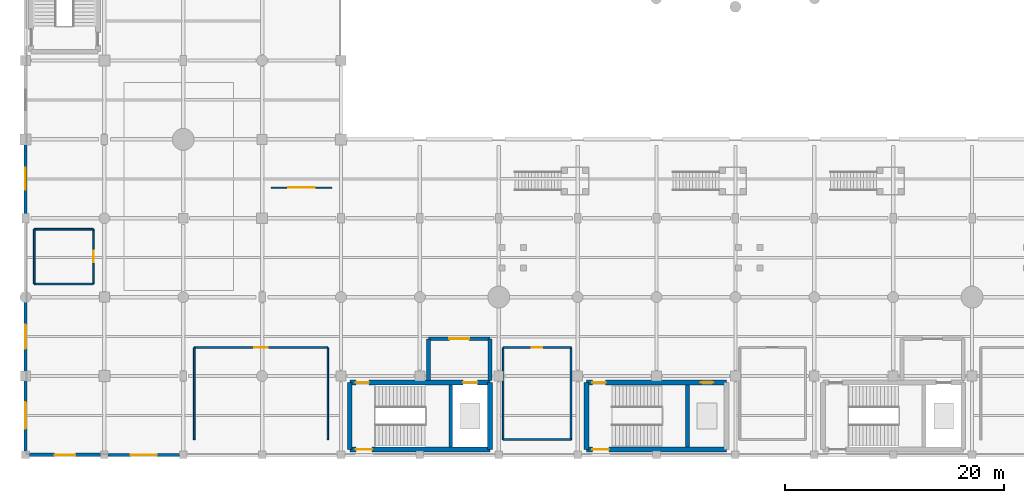
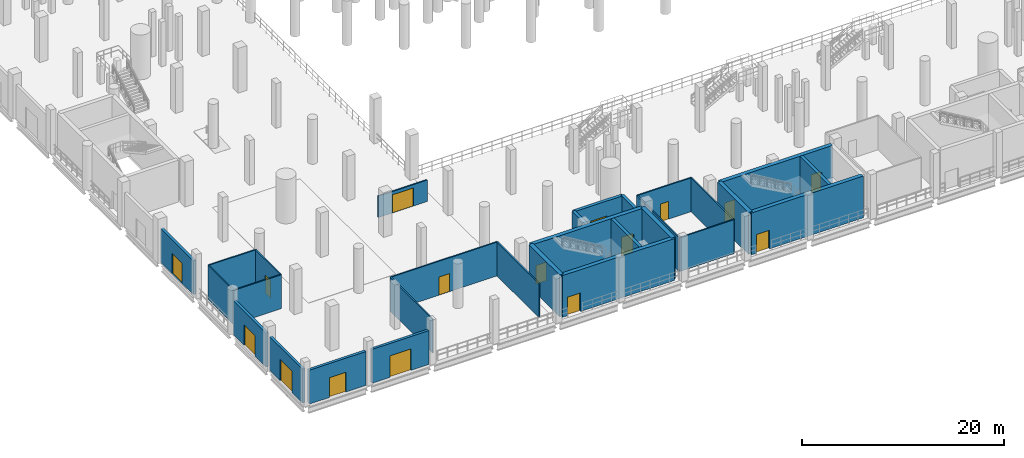
# One storey, part 32 of 58: 29 walls, 16 doors, 16 openings.
"""IFC4 building model written with IfcOpenShell, lengths in metres."""

import ifcopenshell
import ifcopenshell.guid

model = None  # the IFC model being written
_history = None  # IfcOwnerHistory: only IFC2X3 demands one
_inside = {}  # id of a spatial element -> (the spatial element, [elements in it])
_under = {}  # id of a project, library or spatial element -> (it, [spatial elements below it])
_declared = {}  # id of a project -> (the project, [libraries it declares])
_typed = {}  # id of a type object -> (the type object, [elements of that type])
_made_of = {}  # id of a material, layer set ... -> (it, [elements and type objects made of it])


def new_model(schema):
    """Start an empty IFC model of exactly this schema.

    Asked for "IFC4X3", IfcOpenShell would pick the latest addendum, in which some entities
    have other attributes; the version numbers below select the first issue.
    IFC2X3 requires an IfcOwnerHistory on every rooted entity: one is made here for all.
    """
    global model, _history
    if schema == "IFC4X3":
        model = ifcopenshell.file(schema_version=(4, 3, 0, 0))
    else:
        model = ifcopenshell.file(schema=schema)
    _inside.clear()
    _under.clear()
    _declared.clear()
    _typed.clear()
    _made_of.clear()
    _history = None
    if model.schema == "IFC2X3":
        org = make("IfcOrganization", Name="unknown")
        user = make(
            "IfcPersonAndOrganization",
            ThePerson=make("IfcPerson", FamilyName="unknown"),
            TheOrganization=org,
        )
        app = make(
            "IfcApplication",
            ApplicationDeveloper=org,
            Version="unknown",
            ApplicationFullName="unknown",
            ApplicationIdentifier="unknown",
        )
        _history = make(
            "IfcOwnerHistory",
            OwningUser=user,
            OwningApplication=app,
            ChangeAction="ADDED",
            CreationDate=0,
        )
    return model


def make(cls, **values):
    """One entity of the class cls with the attributes given. An attribute that is None is left unset."""
    return model.create_entity(
        cls, **{name: value for name, value in values.items() if value is not None}
    )


def rooted(cls, **values):
    """An entity with a GlobalId (a new one), such as an element, a storey or a relation."""
    return make(cls, GlobalId=ifcopenshell.guid.new(), OwnerHistory=_history, **values)


def si_unit(unit_type, name, prefix=None):
    """IfcSIUnit, for example si_unit("LENGTHUNIT", "METRE", prefix="MILLI")."""
    return make("IfcSIUnit", UnitType=unit_type, Prefix=prefix, Name=name)


def assignment(units):
    """IfcUnitAssignment: the units of a project."""
    return None if units is None else make("IfcUnitAssignment", Units=units)


def point(xyz):
    """IfcCartesianPoint."""
    return None if xyz is None else make("IfcCartesianPoint", Coordinates=xyz)


def direction(xyz):
    """IfcDirection."""
    return None if xyz is None else make("IfcDirection", DirectionRatios=xyz)


def frame(location, z_axis=None, x_axis=None):
    """IfcAxis2Placement3D, a coordinate frame: its origin and axes. An axis left out is left unset."""
    return make(
        "IfcAxis2Placement3D",
        Location=point(location),
        Axis=direction(z_axis),
        RefDirection=direction(x_axis),
    )


def frame_2d(location, x_axis=None):
    """IfcAxis2Placement2D, a coordinate frame in the plane: its origin and x axis."""
    return make(
        "IfcAxis2Placement2D", Location=point(location), RefDirection=direction(x_axis)
    )


def origin():
    """The frame at (0, 0, 0) with its axes left unset."""
    return frame((0.0, 0.0, 0.0))


def place(relative_to, where):
    """IfcLocalPlacement: puts the frame where relative to a parent placement (None: the world)."""
    return make(
        "IfcLocalPlacement", PlacementRelTo=relative_to, RelativePlacement=where
    )


def context(
    kind, dimensions, precision=None, world=None, true_north=None, identifier=None
):
    """IfcGeometricRepresentationContext, for example the 3D "Model" context."""
    return make(
        "IfcGeometricRepresentationContext",
        ContextIdentifier=identifier,
        ContextType=kind,
        CoordinateSpaceDimension=dimensions,
        Precision=precision,
        WorldCoordinateSystem=world,
        TrueNorth=true_north,
    )


def subcontext(parent, identifier, kind, view, scale=None):
    """IfcGeometricRepresentationSubContext, for example "Body" below "Model"."""
    return make(
        "IfcGeometricRepresentationSubContext",
        ContextIdentifier=identifier,
        ContextType=kind,
        ParentContext=parent,
        TargetScale=scale,
        TargetView=view,
    )


def project(units=None, contexts=None):
    """IfcProject with its units and contexts."""
    return rooted(
        "IfcProject",
        Name="project",
        RepresentationContexts=contexts,
        UnitsInContext=assignment(units),
    )


def spatial(cls, under=None, at=None, **own):
    """A site, building, storey or space (cls), placed at a placement, below another one or the project."""
    s = rooted(cls, ObjectPlacement=at, **own)
    if under is not None:
        _under.setdefault(under.id(), (under, []))[1].append(s)
    return s


def profile(cls, at=None, kind="AREA", **sizes):
    """A parametric profile (cls). Its sizes go by their IFC names, for example OverallWidth=200.0."""
    return make(cls, ProfileType=kind, Position=at, **sizes)


def rectangle(**sizes):
    """IfcRectangleProfileDef."""
    return profile("IfcRectangleProfileDef", **sizes)


def extrude(swept, where, along, depth):
    """IfcExtrudedAreaSolid: the profile swept, set in the frame where, extruded along a direction by depth."""
    return make(
        "IfcExtrudedAreaSolid",
        SweptArea=swept,
        Position=where,
        ExtrudedDirection=direction(along),
        Depth=depth,
    )


def shape(context_of_items, identifier, shape_type, items):
    """IfcShapeRepresentation: the items that make up one representation, for example the "Body"."""
    return make(
        "IfcShapeRepresentation",
        ContextOfItems=context_of_items,
        RepresentationIdentifier=identifier,
        RepresentationType=shape_type,
        Items=items,
    )


def material(Name=None, Category=None):
    """IfcMaterial."""
    return make("IfcMaterial", Name=Name, Category=Category)


def layer(
    of_material, thickness, ventilated=None, Name=None, Category=None, Priority=None
):
    """IfcMaterialLayer: one layer of a wall or slab, of a material (None: an air gap)."""
    return make(
        "IfcMaterialLayer",
        Material=of_material,
        LayerThickness=thickness,
        IsVentilated=ventilated,
        Name=Name,
        Category=Category,
        Priority=Priority,
    )


def layer_set(layers, Name=None):
    """IfcMaterialLayerSet."""
    return make("IfcMaterialLayerSet", MaterialLayers=layers, LayerSetName=Name)


def made_of(thing, what):
    """Note that an element or type object is made of a material, layer set ...; save() writes the relation."""
    if what is not None:
        _made_of.setdefault(what.id(), (what, []))[1].append(thing)
    return thing


def type_object(cls, material=None, **own):
    """A type object (cls), such as IfcWallType, which elements share."""
    return made_of(rooted(cls, **own), material)


def element(
    cls,
    number,
    at=None,
    inside=None,
    cuts=None,
    type_object=None,
    material=None,
    context=None,
    identifier="Body",
    shape_type=None,
    held_by="IfcProductDefinitionShape",
    body=None,
    shapes=None,
    **own,
):
    """One element of the class cls, such as IfcWall. Its Tag is "e" and its number.

    at: its placement. inside: the storey or other place that contains it. cuts: it is an
    opening in that element (IfcRelVoidsElement). A single representation is given by context,
    identifier, shape_type and body (its items); several are given by shapes. held_by: the class
    of the entity that holds the representations. save() writes the other relations.
    """
    e = rooted(cls, Tag="e%d" % number, ObjectPlacement=at, **own)
    if body is not None:
        shapes = [shape(context, identifier, shape_type, body)]
    if shapes is not None:
        e.Representation = make(held_by, Representations=shapes)
    if inside is not None:
        _inside.setdefault(inside.id(), (inside, []))[1].append(e)
    if cuts is not None:
        rooted(
            "IfcRelVoidsElement", RelatingBuildingElement=cuts, RelatedOpeningElement=e
        )
    if type_object is not None:
        _typed.setdefault(type_object.id(), (type_object, []))[1].append(e)
    return made_of(e, material)


def fill(opening, filler):
    """IfcRelFillsElement: the door or window that sits in an opening."""
    return rooted(
        "IfcRelFillsElement",
        RelatingOpeningElement=opening,
        RelatedBuildingElement=filler,
    )


def aggregate(whole, parts):
    """IfcRelAggregates: a whole, such as a stair, and the parts it consists of."""
    return rooted("IfcRelAggregates", RelatingObject=whole, RelatedObjects=parts)


def save(model, path):
    """Write the relations noted so far, then the file.

    IfcRelAggregates (storeys below a building ...), IfcRelContainedInSpatialStructure (elements
    in a storey), IfcRelDefinesByType, IfcRelAssociatesMaterial and IfcRelDeclares: one each for
    every whole, place, type object, material and project.
    """
    for whole, parts in _under.values():
        aggregate(whole, parts)
    for where, things in _inside.values():
        rooted(
            "IfcRelContainedInSpatialStructure",
            RelatedElements=things,
            RelatingStructure=where,
        )
    for kind, things in _typed.values():
        rooted("IfcRelDefinesByType", RelatedObjects=things, RelatingType=kind)
    for what, things in _made_of.values():
        rooted("IfcRelAssociatesMaterial", RelatedObjects=things, RelatingMaterial=what)
    for by, libraries in _declared.values():
        rooted("IfcRelDeclares", RelatingContext=by, RelatedDefinitions=libraries)
    model.write(path)


model = new_model("IFC4")

# Units and contexts
model_context = context("Model", 3, precision=1e-05, world=origin(), true_north=direction((0.0, 1.0)))
body_context = subcontext(model_context, "Body", "Model", "MODEL_VIEW")
ifc_project = project(units=[si_unit("LENGTHUNIT", "METRE"), si_unit("AREAUNIT", "SQUARE_METRE"), si_unit("VOLUMEUNIT", "CUBIC_METRE"), si_unit("PLANEANGLEUNIT", "RADIAN"), si_unit("MASSUNIT", "GRAM", prefix="KILO")], contexts=[model_context])

# Site, building, storey
site_placement = place(None, origin())
site = spatial("IfcSite", under=ifc_project, at=site_placement, CompositionType="ELEMENT")
building_placement = place(site_placement, origin())
building = spatial("IfcBuilding", under=site, at=building_placement, Name="Qandorah Velis Arena", CompositionType="ELEMENT")
storey_placement = place(building_placement, origin())
storey = spatial("IfcBuildingStorey", under=building, at=storey_placement, Name="L00", CompositionType="ELEMENT", Elevation=0.0)

# Wall, opening, door
ifc_material_1 = material(Name="Precast concrete C40/50", Category="concrete")
ifc_layer_1 = layer(ifc_material_1, 0.2900390625)
ifc_layer_set_1 = layer_set([ifc_layer_1], Name="Precast concrete C40/50")
wall_type_1 = type_object("IfcWallType", Name="ARC-WAL-EXT290", PredefinedType="SOLIDWALL", material=ifc_layer_set_1)
wall_1_placement = place(storey_placement, frame((0.0, 0.35009765625, 0.0), z_axis=(0.0, 0.0, 1.0), x_axis=(0.0, 1.0, 0.0)))
wall_1 = element("IfcWall", 1, at=wall_1_placement, inside=storey, type_object=wall_type_1, Name="Perimeter concourse exit wall G01", PredefinedType="SOLIDWALL", context=body_context, shape_type="SweptSolid", body=[
    extrude(rectangle(XDim=6.5, YDim=0.2900390625, at=frame_2d((3.25, 0.0))), origin(), (0.0, 0.0, 1.0), 4.10009765625),
])
opening_1_placement = place(wall_1_placement, frame((2.050048828125, 0.0, 0.0)))
opening_1 = element("IfcOpeningElement", 2, at=opening_1_placement, cuts=wall_1, Name="Opening G1", PredefinedType="OPENING", context=body_context, shape_type="SweptSolid", body=[
    extrude(rectangle(XDim=2.39990234375, YDim=2.60009765625, at=frame_2d((1.199951171875, 1.300048828125))), frame((0.0, 0.155029296875, 0.0), z_axis=(0.0, -1.0, 0.0), x_axis=(1.0, 0.0, 0.0)), (0.0, 0.0, 1.0), 0.31005859375),
])
ifc_material_2 = material(Name="Insulated galvanized steel exit door", Category="steel")
door_type_1 = type_object("IfcDoorType", Name="ARC-DR-EXT2400", OperationType="NOTDEFINED", PredefinedType="DOOR", material=ifc_material_2)
door_1_placement = place(opening_1_placement, origin())
door_1 = element("IfcDoor", 3, at=door_1_placement, inside=storey, type_object=door_type_1, Name="Pedestrian exit door G1", OperationType="SINGLE_SWING_RIGHT", OverallHeight=2.60009765625, OverallWidth=2.39990234375, PredefinedType="DOOR", context=body_context, shape_type="SweptSolid", body=[
    extrude(rectangle(XDim=2.39990234375, YDim=2.60009765625, at=frame_2d((1.199951171875, 1.300048828125))), frame((0.0, 0.02490234375, 0.0), z_axis=(0.0, -1.0, 0.0), x_axis=(1.0, 0.0, 0.0)), (0.0, 0.0, 1.0), 0.050048828125),
])
fill(opening_1, door_1)

wall_2_placement = place(storey_placement, frame((0.0, 21.949951171875, 0.0), z_axis=(0.0, 0.0, 1.0), x_axis=(0.0, 1.0, 0.0)))
wall_2 = element("IfcWall", 4, at=wall_2_placement, inside=storey, type_object=wall_type_1, Name="Perimeter concourse exit wall G03", PredefinedType="SOLIDWALL", context=body_context, shape_type="SweptSolid", body=[
    extrude(rectangle(XDim=6.5, YDim=0.2900390625, at=frame_2d((3.25, 0.0))), origin(), (0.0, 0.0, 1.0), 4.10009765625),
])
opening_2_placement = place(wall_2_placement, frame((2.25, 0.0, 0.0)))
opening_2 = element("IfcOpeningElement", 5, at=opening_2_placement, cuts=wall_2, Name="Opening G3", PredefinedType="OPENING", context=body_context, shape_type="SweptSolid", body=[
    extrude(rectangle(XDim=2.0, YDim=2.449951171875, at=frame_2d((1.0, 1.22509765625))), frame((0.0, 0.155029296875, 0.0), z_axis=(0.0, -1.0, 0.0), x_axis=(1.0, 0.0, 0.0)), (0.0, 0.0, 1.0), 0.31005859375),
])
door_type_2 = type_object("IfcDoorType", Name="ARC-DR-EXT2000", OperationType="NOTDEFINED", PredefinedType="DOOR", material=ifc_material_2)
door_2_placement = place(opening_2_placement, origin())
door_2 = element("IfcDoor", 6, at=door_2_placement, inside=storey, type_object=door_type_2, Name="Pedestrian exit door G3", OperationType="SINGLE_SWING_RIGHT", OverallHeight=2.449951171875, OverallWidth=2.0, PredefinedType="DOOR", context=body_context, shape_type="SweptSolid", body=[
    extrude(rectangle(XDim=2.0, YDim=2.449951171875, at=frame_2d((1.0, 1.22509765625))), frame((0.0, 0.02490234375, 0.0), z_axis=(0.0, -1.0, 0.0), x_axis=(1.0, 0.0, 0.0)), (0.0, 0.0, 1.0), 0.050048828125),
])
fill(opening_2, door_2)

wall_3_placement = place(storey_placement, frame((7.550048828125, 0.0, 0.0), z_axis=(0.0, 0.0, 1.0), x_axis=(1.0, 0.0, 0.0)))
wall_3 = element("IfcWall", 7, at=wall_3_placement, inside=storey, type_object=wall_type_1, Name="Perimeter concourse exit wall G13", PredefinedType="SOLIDWALL", context=body_context, shape_type="SweptSolid", body=[
    extrude(rectangle(XDim=6.5, YDim=0.2900390625, at=frame_2d((3.25, 0.0))), origin(), (0.0, 0.0, 1.0), 4.10009765625),
])
opening_3_placement = place(wall_3_placement, frame((2.050048828125, 0.0, 0.0)))
opening_3 = element("IfcOpeningElement", 8, at=opening_3_placement, cuts=wall_3, Name="Opening G13", PredefinedType="OPENING", context=body_context, shape_type="SweptSolid", body=[
    extrude(rectangle(XDim=2.39990234375, YDim=2.60009765625, at=frame_2d((1.199951171875, 1.300048828125))), frame((0.0, 0.155029296875, 0.0), z_axis=(0.0, -1.0, 0.0), x_axis=(1.0, 0.0, 0.0)), (0.0, 0.0, 1.0), 0.31005859375),
])
door_3_placement = place(opening_3_placement, frame((2.39990234375, 0.0, 0.0), z_axis=(0.0, 0.0, 1.0), x_axis=(-1.0, 0.0, 0.0)))
door_3 = element("IfcDoor", 9, at=door_3_placement, inside=storey, type_object=door_type_1, Name="Pedestrian exit door G13", OperationType="SINGLE_SWING_RIGHT", OverallHeight=2.60009765625, OverallWidth=2.39990234375, PredefinedType="DOOR", context=body_context, shape_type="SweptSolid", body=[
    extrude(rectangle(XDim=2.39990234375, YDim=2.60009765625, at=frame_2d((1.199951171875, 1.300048828125))), frame((0.0, 0.02490234375, 0.0), z_axis=(0.0, -1.0, 0.0), x_axis=(1.0, 0.0, 0.0)), (0.0, 0.0, 1.0), 0.050048828125),
])
fill(opening_3, door_3)

ifc_layer_2 = layer(ifc_material_1, 0.31005859375)
ifc_layer_set_2 = layer_set([ifc_layer_2], Name="Precast concrete C40/50")
wall_type_2 = type_object("IfcWallType", Name="ARC-WAL-EXT310", PredefinedType="SOLIDWALL", material=ifc_layer_set_2)
wall_4_placement = place(storey_placement, frame((0.0, 7.550048828125, 0.0), z_axis=(0.0, 0.0, 1.0), x_axis=(0.0, 1.0, 0.0)))
wall_4 = element("IfcWall", 10, at=wall_4_placement, inside=storey, type_object=wall_type_2, Name="Perimeter concourse exit wall G02", PredefinedType="SOLIDWALL", context=body_context, shape_type="SweptSolid", body=[
    extrude(rectangle(XDim=6.5, YDim=0.31005859375, at=frame_2d((3.25, 0.0))), origin(), (0.0, 0.0, 1.0), 4.10009765625),
])
opening_4_placement = place(wall_4_placement, frame((2.14990234375, 0.0, 0.0)))
opening_4 = element("IfcOpeningElement", 11, at=opening_4_placement, cuts=wall_4, Name="Opening G2", PredefinedType="OPENING", context=body_context, shape_type="SweptSolid", body=[
    extrude(rectangle(XDim=2.199951171875, YDim=2.5, at=frame_2d((1.10009765625, 1.25))), frame((0.0, 0.1650390625, 0.0), z_axis=(0.0, -1.0, 0.0), x_axis=(1.0, 0.0, 0.0)), (0.0, 0.0, 1.0), 0.330078125),
])
door_type_3 = type_object("IfcDoorType", Name="ARC-DR-EXT2200", OperationType="NOTDEFINED", PredefinedType="DOOR", material=ifc_material_2)
door_4_placement = place(opening_4_placement, origin())
door_4 = element("IfcDoor", 12, at=door_4_placement, inside=storey, type_object=door_type_3, Name="Pedestrian exit door G2", OperationType="SINGLE_SWING_LEFT", OverallHeight=2.5, OverallWidth=2.199951171875, PredefinedType="DOOR", context=body_context, shape_type="SweptSolid", body=[
    extrude(rectangle(XDim=2.199951171875, YDim=2.5, at=frame_2d((1.10009765625, 1.25))), frame((0.0, 0.02490234375, 0.0), z_axis=(0.0, -1.0, 0.0), x_axis=(1.0, 0.0, 0.0)), (0.0, 0.0, 1.0), 0.050048828125),
])
fill(opening_4, door_4)

wall_5_placement = place(storey_placement, frame((0.35009765625, 0.0, 0.0), z_axis=(0.0, 0.0, 1.0), x_axis=(1.0, 0.0, 0.0)))
wall_5 = element("IfcWall", 13, at=wall_5_placement, inside=storey, type_object=wall_type_2, Name="Perimeter concourse exit wall G12", PredefinedType="SOLIDWALL", context=body_context, shape_type="SweptSolid", body=[
    extrude(rectangle(XDim=6.5, YDim=0.31005859375, at=frame_2d((3.25, 0.0))), origin(), (0.0, 0.0, 1.0), 4.10009765625),
])
opening_5_placement = place(wall_5_placement, frame((2.300048828125, 0.0, 0.0)))
opening_5 = element("IfcOpeningElement", 14, at=opening_5_placement, cuts=wall_5, Name="Opening G12", PredefinedType="OPENING", context=body_context, shape_type="SweptSolid", body=[
    extrude(rectangle(XDim=1.89990234375, YDim=2.39990234375, at=frame_2d((0.949951171875, 1.199951171875))), frame((0.0, 0.1650390625, 0.0), z_axis=(0.0, -1.0, 0.0), x_axis=(1.0, 0.0, 0.0)), (0.0, 0.0, 1.0), 0.330078125),
])
door_type_4 = type_object("IfcDoorType", Name="ARC-DR-EXT1900", OperationType="NOTDEFINED", PredefinedType="DOOR", material=ifc_material_2)
door_5_placement = place(opening_5_placement, frame((1.89990234375, 0.0, 0.0), z_axis=(0.0, 0.0, 1.0), x_axis=(-1.0, 0.0, 0.0)))
door_5 = element("IfcDoor", 15, at=door_5_placement, inside=storey, type_object=door_type_4, Name="Pedestrian exit door G12", OperationType="SINGLE_SWING_LEFT", OverallHeight=2.39990234375, OverallWidth=1.89990234375, PredefinedType="DOOR", context=body_context, shape_type="SweptSolid", body=[
    extrude(rectangle(XDim=1.89990234375, YDim=2.39990234375, at=frame_2d((0.949951171875, 1.199951171875))), frame((0.0, 0.02490234375, 0.0), z_axis=(0.0, -1.0, 0.0), x_axis=(1.0, 0.0, 0.0)), (0.0, 0.0, 1.0), 0.050048828125),
])
fill(opening_5, door_5)

# Wall
ifc_material_3 = material(Name="Concrete C35/45", Category="concrete")
ifc_layer_3 = layer(ifc_material_3, 0.14990234375)
ifc_layer_set_3 = layer_set([ifc_layer_3], Name="Concrete C35/45")
wall_type_3 = type_object("IfcWallType", Name="ARC-WAL-PART150", PredefinedType="PARTITIONING", material=ifc_layer_set_3)
wall_6_placement = place(storey_placement, frame((27.60009765625, 1.39990234375, 0.0), z_axis=(0.0, 0.0, 1.0), x_axis=(0.0, 1.0, 0.0)))
element("IfcWall", 16, at=wall_6_placement, inside=storey, type_object=wall_type_3, Name="Interior partition L00-KIO-SW (E)", PredefinedType="PARTITIONING", context=body_context, shape_type="SweptSolid", body=[
    extrude(rectangle(XDim=8.400146484375, YDim=0.14990234375, at=frame_2d((4.2001953125, 0.0))), origin(), (0.0, 0.0, 1.0), 4.10009765625),
])

# Wall, opening, door
wall_7_placement = place(storey_placement, frame((27.60009765625, 9.800048828125, 0.0), z_axis=(0.0, 0.0, 1.0), x_axis=(-1.0, 0.0, 0.0)))
wall_7 = element("IfcWall", 17, at=wall_7_placement, inside=storey, type_object=wall_type_3, Name="Interior partition L00-KIO-SW (N)", PredefinedType="PARTITIONING", context=body_context, shape_type="SweptSolid", body=[
    extrude(rectangle(XDim=12.2001953125, YDim=0.14990234375, at=frame_2d((6.10009765625, 0.0))), origin(), (0.0, 0.0, 1.0), 4.10009765625),
])
opening_6_placement = place(wall_7_placement, frame((5.5, 0.0, 0.0)))
opening_6 = element("IfcOpeningElement", 18, at=opening_6_placement, cuts=wall_7, Name="Opening D2", PredefinedType="OPENING", context=body_context, shape_type="SweptSolid", body=[
    extrude(rectangle(XDim=1.199951171875, YDim=2.199951171875, at=frame_2d((0.60009765625, 1.10009765625))), frame((0.0, 0.0849609375, 0.0), z_axis=(0.0, -1.0, 0.0), x_axis=(1.0, 0.0, 0.0)), (0.0, 0.0, 1.0), 0.169921875),
])
ifc_material_4 = material(Name="Solid-core hardwood veneer door", Category="wood")
door_type_5 = type_object("IfcDoorType", Name="ARC-DR-INT1200", OperationType="NOTDEFINED", PredefinedType="DOOR", material=ifc_material_4)
door_6_placement = place(opening_6_placement, origin())
door_6 = element("IfcDoor", 19, at=door_6_placement, inside=storey, type_object=door_type_5, Name="Door L00-KIO-SW", OperationType="SINGLE_SWING_LEFT", OverallHeight=2.199951171875, OverallWidth=1.199951171875, PredefinedType="DOOR", context=body_context, shape_type="SweptSolid", body=[
    extrude(rectangle(XDim=1.199951171875, YDim=2.199951171875, at=frame_2d((0.60009765625, 1.10009765625))), frame((0.0, 0.02490234375, 0.0), z_axis=(0.0, -1.0, 0.0), x_axis=(1.0, 0.0, 0.0)), (0.0, 0.0, 1.0), 0.050048828125),
])
fill(opening_6, door_6)

# Walls
wall_8_placement = place(storey_placement, frame((15.39990234375, 9.800048828125, 0.0), z_axis=(0.0, 0.0, 1.0), x_axis=(0.0, -1.0, 0.0)))
element("IfcWall", 20, at=wall_8_placement, inside=storey, type_object=wall_type_3, Name="Interior partition L00-KIO-SW (W)", PredefinedType="PARTITIONING", context=body_context, shape_type="SweptSolid", body=[
    extrude(rectangle(XDim=8.400146484375, YDim=0.14990234375, at=frame_2d((4.2001953125, 0.0))), origin(), (0.0, 0.0, 1.0), 4.10009765625),
])
wall_9_placement = place(storey_placement, frame((43.60009765625, 1.39990234375, 0.0), z_axis=(0.0, 0.0, 1.0), x_axis=(1.0, 0.0, 0.0)))
element("IfcWall", 21, at=wall_9_placement, inside=storey, type_object=wall_type_3, Name="Interior partition L00-L00-MWC1 (S)", PredefinedType="PARTITIONING", context=body_context, shape_type="SweptSolid", body=[
    extrude(rectangle(XDim=6.199951171875, YDim=0.14990234375, at=frame_2d((3.10009765625, 0.0))), origin(), (0.0, 0.0, 1.0), 4.10009765625),
])
wall_10_placement = place(storey_placement, frame((49.800048828125, 1.39990234375, 0.0), z_axis=(0.0, 0.0, 1.0), x_axis=(0.0, 1.0, 0.0)))
element("IfcWall", 22, at=wall_10_placement, inside=storey, type_object=wall_type_3, Name="Interior partition L00-L00-MWC1 (E)", PredefinedType="PARTITIONING", context=body_context, shape_type="SweptSolid", body=[
    extrude(rectangle(XDim=8.400146484375, YDim=0.14990234375, at=frame_2d((4.2001953125, 0.0))), origin(), (0.0, 0.0, 1.0), 4.10009765625),
])

# Wall, opening, door
wall_11_placement = place(storey_placement, frame((49.800048828125, 9.800048828125, 0.0), z_axis=(0.0, 0.0, 1.0), x_axis=(-1.0, 0.0, 0.0)))
wall_11 = element("IfcWall", 23, at=wall_11_placement, inside=storey, type_object=wall_type_3, Name="Interior partition L00-L00-MWC1 (N)", PredefinedType="PARTITIONING", context=body_context, shape_type="SweptSolid", body=[
    extrude(rectangle(XDim=6.199951171875, YDim=0.14990234375, at=frame_2d((3.10009765625, 0.0))), origin(), (0.0, 0.0, 1.0), 4.10009765625),
])
opening_7_placement = place(wall_11_placement, frame((2.625, 0.0, 0.0)))
opening_7 = element("IfcOpeningElement", 24, at=opening_7_placement, cuts=wall_11, Name="Opening D4", PredefinedType="OPENING", context=body_context, shape_type="SweptSolid", body=[
    extrude(rectangle(XDim=0.949951171875, YDim=2.14990234375, at=frame_2d((0.47509765625, 1.074951171875))), frame((0.0, 0.0849609375, 0.0), z_axis=(0.0, -1.0, 0.0), x_axis=(1.0, 0.0, 0.0)), (0.0, 0.0, 1.0), 0.169921875),
])
ifc_material_5 = material(Name="Moisture-resistant laminate door")
door_type_6 = type_object("IfcDoorType", Name="ARC-DR-WC950", OperationType="NOTDEFINED", PredefinedType="DOOR", material=ifc_material_5)
door_7_placement = place(opening_7_placement, frame((0.949951171875, 0.0, 0.0), z_axis=(0.0, 0.0, 1.0), x_axis=(-1.0, 0.0, 0.0)))
door_7 = element("IfcDoor", 25, at=door_7_placement, inside=storey, type_object=door_type_6, Name="Door L00-L00-MWC1", OperationType="SINGLE_SWING_RIGHT", OverallHeight=2.14990234375, OverallWidth=0.949951171875, PredefinedType="DOOR", context=body_context, shape_type="SweptSolid", body=[
    extrude(rectangle(XDim=0.949951171875, YDim=2.14990234375, at=frame_2d((0.47509765625, 1.074951171875))), frame((0.0, 0.02490234375, 0.0), z_axis=(0.0, -1.0, 0.0), x_axis=(1.0, 0.0, 0.0)), (0.0, 0.0, 1.0), 0.050048828125),
])
fill(opening_7, door_7)

# Walls
wall_12_placement = place(storey_placement, frame((43.60009765625, 9.800048828125, 0.0), z_axis=(0.0, 0.0, 1.0), x_axis=(0.0, -1.0, 0.0)))
element("IfcWall", 26, at=wall_12_placement, inside=storey, type_object=wall_type_3, Name="Interior partition L00-L00-MWC1 (W)", PredefinedType="PARTITIONING", context=body_context, shape_type="SweptSolid", body=[
    extrude(rectangle(XDim=8.400146484375, YDim=0.14990234375, at=frame_2d((4.2001953125, 0.0))), origin(), (0.0, 0.0, 1.0), 4.10009765625),
])
wall_13_placement = place(storey_placement, frame((0.800048828125, 15.60009765625, 0.0), z_axis=(0.0, 0.0, 1.0), x_axis=(1.0, 0.0, 0.0)))
element("IfcWall", 27, at=wall_13_placement, inside=storey, type_object=wall_type_3, Name="Interior partition L00-L00-AWC1 (S)", PredefinedType="PARTITIONING", context=body_context, shape_type="SweptSolid", body=[
    extrude(rectangle(XDim=5.39990234375, YDim=0.14990234375, at=frame_2d((2.699951171875, 0.0))), origin(), (0.0, 0.0, 1.0), 4.10009765625),
])

# Wall, opening, door
wall_14_placement = place(storey_placement, frame((6.199951171875, 15.60009765625, 0.0), z_axis=(0.0, 0.0, 1.0), x_axis=(0.0, 1.0, 0.0)))
wall_14 = element("IfcWall", 28, at=wall_14_placement, inside=storey, type_object=wall_type_3, Name="Interior partition L00-L00-AWC1 (E)", PredefinedType="PARTITIONING", context=body_context, shape_type="SweptSolid", body=[
    extrude(rectangle(XDim=5.0, YDim=0.14990234375, at=frame_2d((2.5, 0.0))), origin(), (0.0, 0.0, 1.0), 4.10009765625),
])
opening_8_placement = place(wall_14_placement, frame((1.97509765625, 0.0, 0.0)))
opening_8 = element("IfcOpeningElement", 29, at=opening_8_placement, cuts=wall_14, Name="Opening D6", PredefinedType="OPENING", context=body_context, shape_type="SweptSolid", body=[
    extrude(rectangle(XDim=1.050048828125, YDim=2.199951171875, at=frame_2d((0.52490234375, 1.10009765625))), frame((0.0, 0.0849609375, 0.0), z_axis=(0.0, -1.0, 0.0), x_axis=(1.0, 0.0, 0.0)), (0.0, 0.0, 1.0), 0.169921875),
])
ifc_material_6 = material(Name="Accessible wide-leaf lever-handle door")
door_type_7 = type_object("IfcDoorType", Name="ARC-DR-ACC1050", OperationType="NOTDEFINED", PredefinedType="DOOR", material=ifc_material_6)
door_8_placement = place(opening_8_placement, frame((1.050048828125, 0.0, 0.0), z_axis=(0.0, 0.0, 1.0), x_axis=(-1.0, 0.0, 0.0)))
door_8 = element("IfcDoor", 30, at=door_8_placement, inside=storey, type_object=door_type_7, Name="Door L00-L00-AWC1", OperationType="SINGLE_SWING_RIGHT", OverallHeight=2.199951171875, OverallWidth=1.050048828125, PredefinedType="DOOR", context=body_context, shape_type="SweptSolid", body=[
    extrude(rectangle(XDim=1.050048828125, YDim=2.199951171875, at=frame_2d((0.52490234375, 1.10009765625))), frame((0.0, 0.02490234375, 0.0), z_axis=(0.0, -1.0, 0.0), x_axis=(1.0, 0.0, 0.0)), (0.0, 0.0, 1.0), 0.050048828125),
])
fill(opening_8, door_8)

# Walls
wall_15_placement = place(storey_placement, frame((6.199951171875, 20.60009765625, 0.0), z_axis=(0.0, 0.0, 1.0), x_axis=(-1.0, 0.0, 0.0)))
element("IfcWall", 31, at=wall_15_placement, inside=storey, type_object=wall_type_3, Name="Interior partition L00-L00-AWC1 (N)", PredefinedType="PARTITIONING", context=body_context, shape_type="SweptSolid", body=[
    extrude(rectangle(XDim=5.39990234375, YDim=0.14990234375, at=frame_2d((2.699951171875, 0.0))), origin(), (0.0, 0.0, 1.0), 4.10009765625),
])
wall_16_placement = place(storey_placement, frame((0.800048828125, 20.60009765625, 0.0), z_axis=(0.0, 0.0, 1.0), x_axis=(0.0, -1.0, 0.0)))
element("IfcWall", 32, at=wall_16_placement, inside=storey, type_object=wall_type_3, Name="Interior partition L00-L00-AWC1 (W)", PredefinedType="PARTITIONING", context=body_context, shape_type="SweptSolid", body=[
    extrude(rectangle(XDim=5.0, YDim=0.14990234375, at=frame_2d((2.5, 0.0))), origin(), (0.0, 0.0, 1.0), 4.10009765625),
])

# Wall, opening, door
wall_17_placement = place(storey_placement, frame((22.39990234375, 24.39990234375, 0.0), z_axis=(0.0, 0.0, 1.0), x_axis=(1.0, 0.0, 0.0)))
wall_17 = element("IfcWall", 33, at=wall_17_placement, inside=storey, type_object=wall_type_3, Name="Concourse control screen wall 01", PredefinedType="PARTITIONING", context=body_context, shape_type="SweptSolid", body=[
    extrude(rectangle(XDim=5.60009765625, YDim=0.14990234375, at=frame_2d((2.800048828125, 0.0))), origin(), (0.0, 0.0, 1.0), 2.60009765625),
])
opening_9_placement = place(wall_17_placement, frame((1.60009765625, 0.0, 0.0)))
opening_9 = element("IfcOpeningElement", 34, at=opening_9_placement, cuts=wall_17, Name="Opening GT1", PredefinedType="OPENING", context=body_context, shape_type="SweptSolid", body=[
    extrude(rectangle(XDim=2.39990234375, YDim=2.199951171875, at=frame_2d((1.199951171875, 1.10009765625))), frame((0.0, 0.0849609375, 0.0), z_axis=(0.0, -1.0, 0.0), x_axis=(1.0, 0.0, 0.0)), (0.0, 0.0, 1.0), 0.169921875),
])
ifc_material_7 = material(Name="Galvanized steel concourse vomitory gate", Category="steel")
door_type_8 = type_object("IfcDoorType", Name="ARC-DR-GAT2400", OperationType="NOTDEFINED", PredefinedType="GATE", material=ifc_material_7)
door_9_placement = place(opening_9_placement, frame((2.39990234375, 0.0, 0.0), z_axis=(0.0, 0.0, 1.0), x_axis=(-1.0, 0.0, 0.0)))
door_9 = element("IfcDoor", 35, at=door_9_placement, inside=storey, type_object=door_type_8, Name="Concourse vomitory gate GT1", OperationType="DOUBLE_DOOR_SINGLE_SWING", OverallHeight=2.199951171875, OverallWidth=2.39990234375, PredefinedType="GATE", context=body_context, shape_type="SweptSolid", body=[
    extrude(rectangle(XDim=2.39990234375, YDim=2.199951171875, at=frame_2d((1.199951171875, 1.10009765625))), frame((0.0, 0.02490234375, 0.0), z_axis=(0.0, -1.0, 0.0), x_axis=(1.0, 0.0, 0.0)), (0.0, 0.0, 1.0), 0.050048828125),
])
fill(opening_9, door_9)

ifc_material_8 = material(Name="Concrete C40/50", Category="concrete")
ifc_layer_4 = layer(ifc_material_8, 0.449951171875)
ifc_layer_set_4 = layer_set([ifc_layer_4], Name="Concrete C40/50")
wall_type_4 = type_object("IfcWallType", Name="STR-WAL-CORE450", PredefinedType="SHEAR", material=ifc_layer_set_4)
wall_18_placement = place(storey_placement, frame((29.60009765625, 0.5, 0.0), z_axis=(0.0, 0.0, 1.0), x_axis=(1.0, 0.0, 0.0)))
wall_18 = element("IfcWall", 36, at=wall_18_placement, inside=storey, type_object=wall_type_4, Name="Core CORE-01 shear wall S (L00)", PredefinedType="SHEAR", context=body_context, shape_type="SweptSolid", body=[
    extrude(rectangle(XDim=12.7998046875, YDim=0.449951171875, at=frame_2d((6.39990234375, 0.0))), origin(), (0.0, 0.0, 1.0), 5.06005859375),
])
opening_10_placement = place(wall_18_placement, frame((0.550048828125, 0.0, 0.0)))
opening_10 = element("IfcOpeningElement", 37, at=opening_10_placement, cuts=wall_18, Name="Opening SD2", PredefinedType="OPENING", context=body_context, shape_type="SweptSolid", body=[
    extrude(rectangle(XDim=1.5, YDim=2.25, at=frame_2d((0.75, 1.125))), frame((0.0, 0.23486328125, 0.0), z_axis=(0.0, -1.0, 0.0), x_axis=(1.0, 0.0, 0.0)), (0.0, 0.0, 1.0), 0.469970703125),
])
ifc_material_9 = material(Name="Self-closing fire-rated stair exit door")
door_type_9 = type_object("IfcDoorType", Name="ARC-DR-ST1500", OperationType="NOTDEFINED", PredefinedType="DOOR", material=ifc_material_9)
door_10_placement = place(opening_10_placement, frame((1.5, 0.0, 0.0), z_axis=(0.0, 0.0, 1.0), x_axis=(-1.0, 0.0, 0.0)))
door_10 = element("IfcDoor", 38, at=door_10_placement, inside=storey, type_object=door_type_9, Name="Stair ST1 final exit discharge door", OperationType="SINGLE_SWING_RIGHT", OverallHeight=2.25, OverallWidth=1.5, PredefinedType="DOOR", context=body_context, shape_type="SweptSolid", body=[
    extrude(rectangle(XDim=1.5, YDim=2.25, at=frame_2d((0.75, 1.125))), frame((0.0, 0.02490234375, 0.0), z_axis=(0.0, -1.0, 0.0), x_axis=(1.0, 0.0, 0.0)), (0.0, 0.0, 1.0), 0.050048828125),
])
fill(opening_10, door_10)

# Wall, openings, doors
wall_19_placement = place(storey_placement, frame((29.60009765625, 6.60009765625, 0.0), z_axis=(0.0, 0.0, 1.0), x_axis=(1.0, 0.0, 0.0)))
wall_19 = element("IfcWall", 39, at=wall_19_placement, inside=storey, type_object=wall_type_4, Name="Core CORE-01 shear wall N (L00)", PredefinedType="SHEAR", context=body_context, shape_type="SweptSolid", body=[
    extrude(rectangle(XDim=12.7998046875, YDim=0.449951171875, at=frame_2d((6.39990234375, 0.0))), origin(), (0.0, 0.0, 1.0), 5.06005859375),
])
opening_11_placement = place(wall_19_placement, frame((0.550048828125, 0.0, 0.0)))
opening_11 = element("IfcOpeningElement", 40, at=opening_11_placement, cuts=wall_19, Name="Opening SD1", PredefinedType="OPENING", context=body_context, shape_type="SweptSolid", body=[
    extrude(rectangle(XDim=1.199951171875, YDim=2.25, at=frame_2d((0.60009765625, 1.125))), frame((0.0, 0.23486328125, 0.0), z_axis=(0.0, -1.0, 0.0), x_axis=(1.0, 0.0, 0.0)), (0.0, 0.0, 1.0), 0.469970703125),
])
opening_12_placement = place(wall_19_placement, frame((10.35791015625, 0.0, 0.0)))
opening_12 = element("IfcOpeningElement", 41, at=opening_12_placement, cuts=wall_19, Name="Opening LD2", PredefinedType="OPENING", context=body_context, shape_type="SweptSolid", body=[
    extrude(rectangle(XDim=1.300048828125, YDim=2.25, at=frame_2d((0.64990234375, 1.125))), frame((0.0, 0.23486328125, 0.0), z_axis=(0.0, -1.0, 0.0), x_axis=(1.0, 0.0, 0.0)), (0.0, 0.0, 1.0), 0.469970703125),
])
ifc_material_10 = material(Name="Firefighting stainless sliding lift landing door", Category="steel")
door_type_10 = type_object("IfcDoorType", Name="ARC-DR-LD1300", OperationType="NOTDEFINED", PredefinedType="DOOR", material=ifc_material_10)
door_11_placement = place(opening_12_placement, origin())
door_11 = element("IfcDoor", 42, at=door_11_placement, inside=storey, type_object=door_type_10, Name="Lift FL1 sliding landing door (L00)", OperationType="SLIDING_TO_RIGHT", OverallHeight=2.25, OverallWidth=1.300048828125, PredefinedType="DOOR", context=body_context, shape_type="SweptSolid", body=[
    extrude(rectangle(XDim=1.300048828125, YDim=2.25, at=frame_2d((0.64990234375, 1.125))), frame((0.0, 0.02490234375, 0.0), z_axis=(0.0, -1.0, 0.0), x_axis=(1.0, 0.0, 0.0)), (0.0, 0.0, 1.0), 0.050048828125),
])
fill(opening_12, door_11)
ifc_material_11 = material(Name="Self-closing fire-rated stair steel door", Category="steel")
door_type_11 = type_object("IfcDoorType", Name="ARC-DR-ST1200", OperationType="NOTDEFINED", PredefinedType="DOOR", material=ifc_material_11)
door_12_placement = place(opening_11_placement, origin())
door_12 = element("IfcDoor", 43, at=door_12_placement, inside=storey, type_object=door_type_11, Name="Stair ST1 fire door (L00)", OperationType="SINGLE_SWING_LEFT", OverallHeight=2.25, OverallWidth=1.199951171875, PredefinedType="DOOR", context=body_context, shape_type="SweptSolid", body=[
    extrude(rectangle(XDim=1.199951171875, YDim=2.25, at=frame_2d((0.60009765625, 1.125))), frame((0.0, 0.02490234375, 0.0), z_axis=(0.0, -1.0, 0.0), x_axis=(1.0, 0.0, 0.0)), (0.0, 0.0, 1.0), 0.050048828125),
])
fill(opening_11, door_12)

# Walls
for number, where, z_axis, x_axis, name in (
    (44, (29.60009765625, 0.5, 0.0), (0.0, 0.0, 1.0), (0.0, 1.0, 0.0), "Core CORE-01 shear wall W (L00)"),
    (45, (42.39990234375, 0.5, 0.0), (0.0, 0.0, 1.0), (0.0, 1.0, 0.0), "Core CORE-01 shear wall E (L00)"),
):
    element("IfcWall", number, at=place(storey_placement, frame(where, z_axis=z_axis, x_axis=x_axis)), inside=storey, type_object=wall_type_4, Name=name, PredefinedType="SHEAR", context=body_context, shape_type="SweptSolid", body=[
        extrude(rectangle(XDim=6.10009765625, YDim=0.449951171875, at=frame_2d((3.050048828125, 0.0))), origin(), (0.0, 0.0, 1.0), 5.06005859375),
    ])

# Wall, opening, door
wall_20_placement = place(storey_placement, frame((51.199951171875, 0.5, 0.0), z_axis=(0.0, 0.0, 1.0), x_axis=(1.0, 0.0, 0.0)))
wall_20 = element("IfcWall", 46, at=wall_20_placement, inside=storey, type_object=wall_type_4, Name="Core CORE-09 shear wall S (L00)", PredefinedType="SHEAR", context=body_context, shape_type="SweptSolid", body=[
    extrude(rectangle(XDim=12.800048828125, YDim=0.449951171875, at=frame_2d((6.39990234375, 0.0))), origin(), (0.0, 0.0, 1.0), 5.06005859375),
])
opening_13_placement = place(wall_20_placement, frame((0.550048828125, 0.0, 0.0)))
opening_13 = element("IfcOpeningElement", 47, at=opening_13_placement, cuts=wall_20, Name="Opening SD2", PredefinedType="OPENING", context=body_context, shape_type="SweptSolid", body=[
    extrude(rectangle(XDim=1.5, YDim=2.25, at=frame_2d((0.75, 1.125))), frame((0.0, 0.23486328125, 0.0), z_axis=(0.0, -1.0, 0.0), x_axis=(1.0, 0.0, 0.0)), (0.0, 0.0, 1.0), 0.469970703125),
])
door_13_placement = place(opening_13_placement, frame((1.5, 0.0, 0.0), z_axis=(0.0, 0.0, 1.0), x_axis=(-1.0, 0.0, 0.0)))
door_13 = element("IfcDoor", 48, at=door_13_placement, inside=storey, type_object=door_type_9, Name="Stair ST9 final exit discharge door", OperationType="SINGLE_SWING_RIGHT", OverallHeight=2.25, OverallWidth=1.5, PredefinedType="DOOR", context=body_context, shape_type="SweptSolid", body=[
    extrude(rectangle(XDim=1.5, YDim=2.25, at=frame_2d((0.75, 1.125))), frame((0.0, 0.02490234375, 0.0), z_axis=(0.0, -1.0, 0.0), x_axis=(1.0, 0.0, 0.0)), (0.0, 0.0, 1.0), 0.050048828125),
])
fill(opening_13, door_13)

# Wall, openings, doors
wall_21_placement = place(storey_placement, frame((51.199951171875, 6.60009765625, 0.0), z_axis=(0.0, 0.0, 1.0), x_axis=(1.0, 0.0, 0.0)))
wall_21 = element("IfcWall", 49, at=wall_21_placement, inside=storey, type_object=wall_type_4, Name="Core CORE-09 shear wall N (L00)", PredefinedType="SHEAR", context=body_context, shape_type="SweptSolid", body=[
    extrude(rectangle(XDim=12.800048828125, YDim=0.449951171875, at=frame_2d((6.39990234375, 0.0))), origin(), (0.0, 0.0, 1.0), 5.06005859375),
])
opening_14_placement = place(wall_21_placement, frame((0.550048828125, 0.0, 0.0)))
opening_14 = element("IfcOpeningElement", 50, at=opening_14_placement, cuts=wall_21, Name="Opening SD1", PredefinedType="OPENING", context=body_context, shape_type="SweptSolid", body=[
    extrude(rectangle(XDim=1.199951171875, YDim=2.25, at=frame_2d((0.60009765625, 1.125))), frame((0.0, 0.23486328125, 0.0), z_axis=(0.0, -1.0, 0.0), x_axis=(1.0, 0.0, 0.0)), (0.0, 0.0, 1.0), 0.469970703125),
])
opening_15_placement = place(wall_21_placement, frame((10.4580078125, 0.0, 0.0)))
opening_15 = element("IfcOpeningElement", 51, at=opening_15_placement, cuts=wall_21, Name="Opening LD1", PredefinedType="OPENING", context=body_context, shape_type="SweptSolid", body=[
    extrude(rectangle(XDim=1.10009765625, YDim=2.199951171875, at=frame_2d((0.550048828125, 1.10009765625))), frame((0.0, 0.23486328125, 0.0), z_axis=(0.0, -1.0, 0.0), x_axis=(1.0, 0.0, 0.0)), (0.0, 0.0, 1.0), 0.469970703125),
])
ifc_material_12 = material(Name="Stainless steel sliding lift landing door", Category="steel")
door_type_12 = type_object("IfcDoorType", Name="ARC-DR-LD1100", OperationType="NOTDEFINED", PredefinedType="DOOR", material=ifc_material_12)
door_14_placement = place(opening_15_placement, origin())
door_14 = element("IfcDoor", 52, at=door_14_placement, inside=storey, type_object=door_type_12, Name="Lift PL6 sliding landing door (L00)", OperationType="SLIDING_TO_LEFT", OverallHeight=2.199951171875, OverallWidth=1.10009765625, PredefinedType="DOOR", context=body_context, shape_type="SweptSolid", body=[
    extrude(rectangle(XDim=1.10009765625, YDim=2.199951171875, at=frame_2d((0.550048828125, 1.10009765625))), frame((0.0, 0.02490234375, 0.0), z_axis=(0.0, -1.0, 0.0), x_axis=(1.0, 0.0, 0.0)), (0.0, 0.0, 1.0), 0.050048828125),
])
fill(opening_15, door_14)
door_15_placement = place(opening_14_placement, origin())
door_15 = element("IfcDoor", 53, at=door_15_placement, inside=storey, type_object=door_type_11, Name="Stair ST9 fire door (L00)", OperationType="SINGLE_SWING_RIGHT", OverallHeight=2.25, OverallWidth=1.199951171875, PredefinedType="DOOR", context=body_context, shape_type="SweptSolid", body=[
    extrude(rectangle(XDim=1.199951171875, YDim=2.25, at=frame_2d((0.60009765625, 1.125))), frame((0.0, 0.02490234375, 0.0), z_axis=(0.0, -1.0, 0.0), x_axis=(1.0, 0.0, 0.0)), (0.0, 0.0, 1.0), 0.050048828125),
])
fill(opening_14, door_15)

# Walls
wall_22_placement = place(storey_placement, frame((51.199951171875, 0.5, 0.0), z_axis=(0.0, 0.0, 1.0), x_axis=(0.0, 1.0, 0.0)))
element("IfcWall", 54, at=wall_22_placement, inside=storey, type_object=wall_type_4, Name="Core CORE-09 shear wall W (L00)", PredefinedType="SHEAR", context=body_context, shape_type="SweptSolid", body=[
    extrude(rectangle(XDim=6.10009765625, YDim=0.449951171875, at=frame_2d((3.050048828125, 0.0))), origin(), (0.0, 0.0, 1.0), 5.06005859375),
])
ifc_layer_5 = layer(ifc_material_8, 0.35009765625)
ifc_layer_set_5 = layer_set([ifc_layer_5], Name="Concrete C40/50")
wall_type_5 = type_object("IfcWallType", Name="STR-WAL-SH350", PredefinedType="SHEAR", material=ifc_layer_set_5)
for number, where, z_axis, x_axis, name in (
    (55, (38.81591796875, 0.72509765625, 0.0), (0.0, 0.0, 1.0), (0.0, 1.0, 0.0), "Core CORE-01 shaft divider shear wall (L00)"),
    (56, (60.416015625, 0.72509765625, 0.0), (0.0, 0.0, 1.0), (0.0, 1.0, 0.0), "Core CORE-09 shaft divider shear wall (L00)"),
):
    element("IfcWall", number, at=place(storey_placement, frame(where, z_axis=z_axis, x_axis=x_axis)), inside=storey, type_object=wall_type_5, Name=name, PredefinedType="SHEAR", context=body_context, shape_type="SweptSolid", body=[
        extrude(rectangle(XDim=5.64990234375, YDim=0.35009765625, at=frame_2d((2.824951171875, 0.0))), origin(), (0.0, 0.0, 1.0), 5.06005859375),
    ])
wall_23_placement = place(storey_placement, frame((42.39990234375, 6.800048828125, 0.0), z_axis=(0.0, 0.0, 1.0), x_axis=(0.0, 1.0, 0.0)))
element("IfcWall", 57, at=wall_23_placement, inside=storey, type_object=wall_type_5, Name="Interior partition FFL-FL1-L00 (E)", PredefinedType="SHEAR", context=body_context, shape_type="SweptSolid", body=[
    extrude(rectangle(XDim=3.800048828125, YDim=0.35009765625, at=frame_2d((1.89990234375, 0.0))), origin(), (0.0, 0.0, 1.0), 4.10009765625),
])

# Wall, opening, door
wall_24_placement = place(storey_placement, frame((42.39990234375, 10.60009765625, 0.0), z_axis=(0.0, 0.0, 1.0), x_axis=(-1.0, 0.0, 0.0)))
wall_24 = element("IfcWall", 58, at=wall_24_placement, inside=storey, type_object=wall_type_5, Name="Interior partition FFL-FL1-L00 (N)", PredefinedType="SHEAR", context=body_context, shape_type="SweptSolid", body=[
    extrude(rectangle(XDim=5.599853515625, YDim=0.35009765625, at=frame_2d((2.7998046875, 0.0))), origin(), (0.0, 0.0, 1.0), 4.10009765625),
])
opening_16_placement = place(wall_24_placement, frame((1.89990234375, 0.0, 0.0)))
opening_16 = element("IfcOpeningElement", 59, at=opening_16_placement, cuts=wall_24, Name="Opening FD1", PredefinedType="OPENING", context=body_context, shape_type="SweptSolid", body=[
    extrude(rectangle(XDim=1.800048828125, YDim=2.300048828125, at=frame_2d((0.89990234375, 1.14990234375))), frame((0.0, 0.18505859375, 0.0), z_axis=(0.0, -1.0, 0.0), x_axis=(1.0, 0.0, 0.0)), (0.0, 0.0, 1.0), 0.3701171875),
])
ifc_material_13 = material(Name="Insulated fire-rated double steel door", Category="steel")
door_type_13 = type_object("IfcDoorType", Name="ARC-DR-FD1800", OperationType="NOTDEFINED", PredefinedType="DOOR", material=ifc_material_13)
door_16_placement = place(opening_16_placement, origin())
door_16 = element("IfcDoor", 60, at=door_16_placement, inside=storey, type_object=door_type_13, Name="Door FFL-FL1-L00", OperationType="DOUBLE_DOOR_SINGLE_SWING", OverallHeight=2.300048828125, OverallWidth=1.800048828125, PredefinedType="DOOR", context=body_context, shape_type="SweptSolid", body=[
    extrude(rectangle(XDim=1.800048828125, YDim=2.300048828125, at=frame_2d((0.89990234375, 1.14990234375))), frame((0.0, 0.02490234375, 0.0), z_axis=(0.0, -1.0, 0.0), x_axis=(1.0, 0.0, 0.0)), (0.0, 0.0, 1.0), 0.050048828125),
])
fill(opening_16, door_16)

# Wall
wall_25_placement = place(storey_placement, frame((36.800048828125, 10.60009765625, 0.0), z_axis=(0.0, 0.0, 1.0), x_axis=(0.0, -1.0, 0.0)))
element("IfcWall", 61, at=wall_25_placement, inside=storey, type_object=wall_type_5, Name="Interior partition FFL-FL1-L00 (W)", PredefinedType="SHEAR", context=body_context, shape_type="SweptSolid", body=[
    extrude(rectangle(XDim=3.800048828125, YDim=0.35009765625, at=frame_2d((1.89990234375, 0.0))), origin(), (0.0, 0.0, 1.0), 4.10009765625),
])

save(model, "model.ifc")
